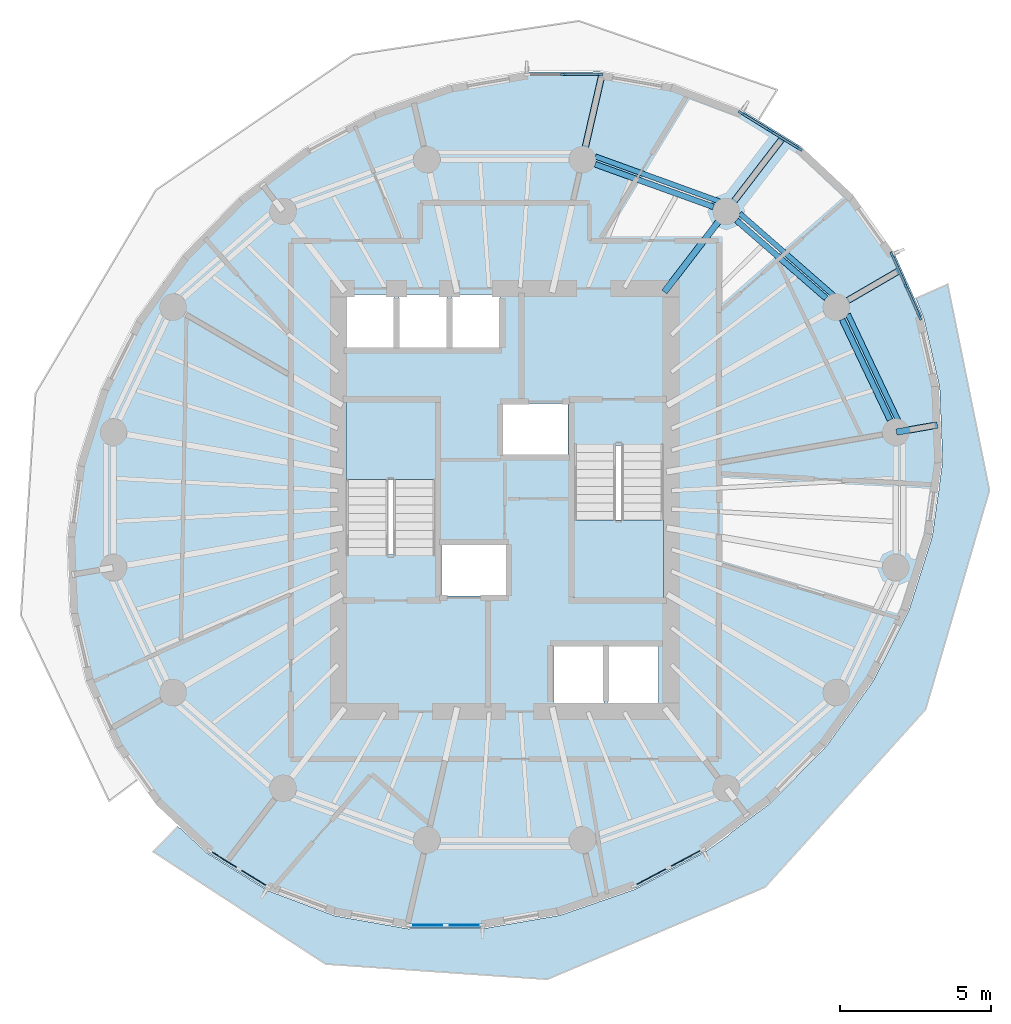
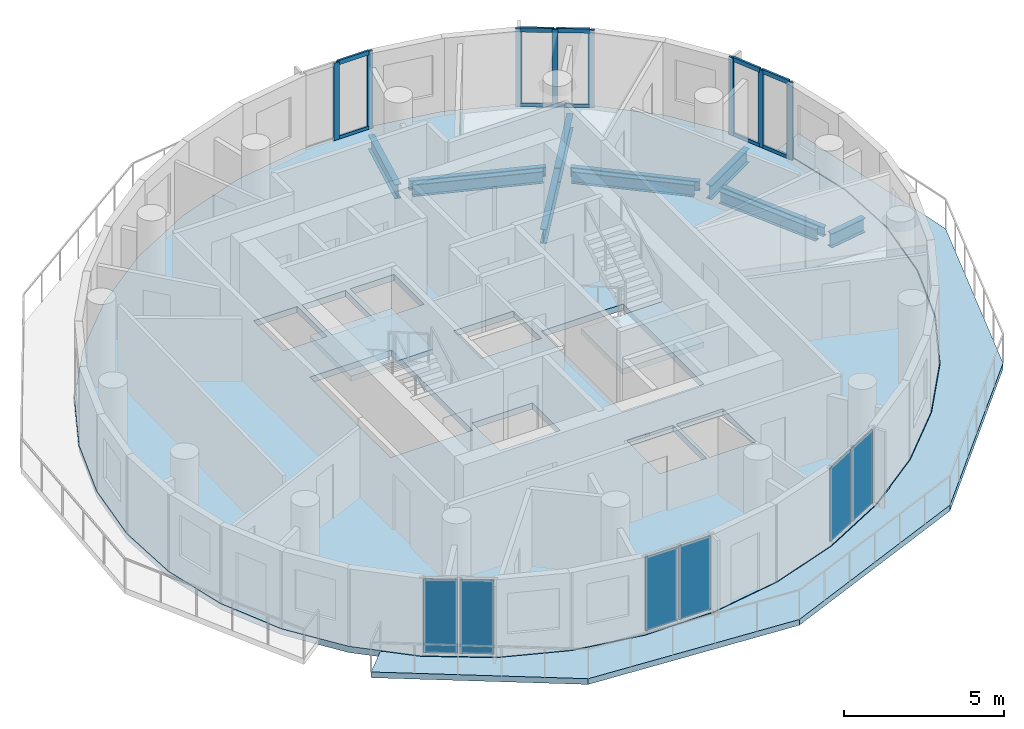
# One storey, part 3 of 10: 18 members, 11 beams, 6 plates, 4 slabs, 8 elements without a shape of their own.
"""IFC4 building model written with IfcOpenShell, lengths in metres."""

from ifc_helpers import new_model, si_unit, direction, frame, origin, origin_2d, place, context, subcontext, project, spatial, polyline, rectangle, i_section, outline, extrude, material, layer, layer_set, material_profile, profile_set, type_object, element, aggregate, save


model = new_model("IFC4")

# Units and contexts
model_context = context("Model", 3, precision=1e-05, world=origin(), true_north=direction((0.0, 1.0)))
body_context = subcontext(model_context, "Body", "Model", "MODEL_VIEW")
ifc_project = project(units=[si_unit("LENGTHUNIT", "METRE"), si_unit("AREAUNIT", "SQUARE_METRE"), si_unit("VOLUMEUNIT", "CUBIC_METRE"), si_unit("PLANEANGLEUNIT", "RADIAN"), si_unit("MASSUNIT", "GRAM", prefix="KILO")], contexts=[model_context])

# Site, building, storey
site_placement = place(None, origin())
site = spatial("IfcSite", under=ifc_project, at=site_placement, CompositionType="ELEMENT")
building_placement = place(site_placement, origin())
building = spatial("IfcBuilding", under=site, at=building_placement, Name="Veldorim Arch Residences", CompositionType="ELEMENT")
storey_placement = place(building_placement, frame((0.0, 0.0, 169.43994140625)))
storey = spatial("IfcBuildingStorey", under=building, at=storey_placement, Name="L50", CompositionType="ELEMENT", Elevation=169.43994140625)

# Beams
ifc_material_1 = material(Name="Steel S355", Category="steel")
ifc_material_profile_1 = material_profile(ifc_material_1, i_section(OverallWidth=0.2119140625, OverallDepth=0.54443359375, WebThickness=0.0126953125, FlangeThickness=0.021240234375, at=origin_2d()), Name="UB533x210x122")
ifc_profile_set_1 = profile_set([ifc_material_profile_1], Name="Steel S355")
beam_type_1 = type_object("IfcBeamType", Name="Structural Steel Beam UB533x210x122", PredefinedType="BEAM", material=ifc_profile_set_1)
beam_1_placement = place(storey_placement, frame((44.966064453125, 26.242919921875, -0.51220703125), z_axis=(0.985349360006, 0.170548054035, 0.0), x_axis=(-0.170548054035, 0.985349360006, 0.0)))
element("IfcBeam", 1, at=beam_1_placement, inside=storey, type_object=beam_type_1, Name="L50 radial edge cantilever girder 01", PredefinedType="BEAM", context=body_context, shape_type="SweptSolid", body=[
    extrude(i_section(OverallWidth=0.2119140625, OverallDepth=0.54443359375, WebThickness=0.0126953125, FlangeThickness=0.021240234375, at=origin_2d()), origin(), (0.0, 0.0, 1.0), 1.377197265625),
])
beam_2_placement = place(storey_placement, frame((42.99267578125, 30.387939453125, -0.51220703125), z_axis=(0.864610127671, 0.502443357135, 0.0), x_axis=(-0.502443357135, 0.864610127671, 0.0)))
element("IfcBeam", 2, at=beam_2_placement, inside=storey, type_object=beam_type_1, Name="L50 radial edge cantilever girder 02", PredefinedType="BEAM", context=body_context, shape_type="SweptSolid", body=[
    extrude(i_section(OverallWidth=0.2119140625, OverallDepth=0.54443359375, WebThickness=0.0126953125, FlangeThickness=0.021240234375, at=origin_2d()), origin(), (0.0, 0.0, 1.0), 2.372314453125),
])
beam_3_placement = place(storey_placement, frame((37.28662109375, 30.881103515625, -0.51220703125), z_axis=(0.609258442308, 0.792971721108, 0.0), x_axis=(-0.792971721108, 0.609258442308, 0.0)))
element("IfcBeam", 3, at=beam_3_placement, inside=storey, type_object=beam_type_1, Name="L50 radial floor girder 03", PredefinedType="BEAM", context=body_context, shape_type="SweptSolid", body=[
    extrude(i_section(OverallWidth=0.2119140625, OverallDepth=0.54443359375, WebThickness=0.0126953125, FlangeThickness=0.021240234375, at=origin_2d()), origin(), (0.0, 0.0, 1.0), 3.339599609375),
])
beam_4_placement = place(storey_placement, frame((39.345703125, 33.561279296875, -0.51220703125), z_axis=(0.609245785417, 0.792981445528, 0.0), x_axis=(-0.792981445528, 0.609245785417, 0.0)))
element("IfcBeam", 4, at=beam_4_placement, inside=storey, type_object=beam_type_1, Name="L50 radial edge cantilever girder 03", PredefinedType="BEAM", context=body_context, shape_type="SweptSolid", body=[
    extrude(i_section(OverallWidth=0.2119140625, OverallDepth=0.54443359375, WebThickness=0.0126953125, FlangeThickness=0.021240234375, at=origin_2d()), origin(), (0.0, 0.0, 1.0), 3.020263671875),
])
beam_5_placement = place(storey_placement, frame((34.57958984375, 35.27880859375, -0.51220703125), z_axis=(0.222975521586, 0.974824044007, 0.0), x_axis=(-0.974824044007, 0.222975521586, 0.0)))
element("IfcBeam", 5, at=beam_5_placement, inside=storey, type_object=beam_type_1, Name="L50 radial edge cantilever girder 04", PredefinedType="BEAM", context=body_context, shape_type="SweptSolid", body=[
    extrude(i_section(OverallWidth=0.2119140625, OverallDepth=0.54443359375, WebThickness=0.0126953125, FlangeThickness=0.021240234375, at=origin_2d()), origin(), (0.0, 0.0, 1.0), 2.85888671875),
])
ifc_material_2 = material(Name="Steel S355", Category="steel")
ifc_material_profile_2 = material_profile(ifc_material_2, i_section(OverallWidth=0.172119140625, OverallDepth=0.35791015625, WebThickness=0.008056640625, FlangeThickness=0.012939453125, at=origin_2d()), Name="UB356x171x57")
ifc_profile_set_2 = profile_set([ifc_material_profile_2], Name="Steel S355")
beam_type_2 = type_object("IfcBeamType", Name="Structural Steel Spandrel UB356x171x57", PredefinedType="SPANDREL", material=ifc_profile_set_2)
beam_6_placement = place(storey_placement, frame((45.0205078125, 26.6396484375, -0.43896484375), z_axis=(-0.428408308939, 0.903585259304, 0.0), x_axis=(-0.903585259304, -0.428408308939, 0.0)))
element("IfcBeam", 6, at=beam_6_placement, inside=storey, type_object=beam_type_2, Name="L50 perimeter chord spandrel beam 01", PredefinedType="SPANDREL", context=body_context, shape_type="SweptSolid", body=[
    extrude(i_section(OverallWidth=0.172119140625, OverallDepth=0.35791015625, WebThickness=0.008056640625, FlangeThickness=0.012939453125, at=origin_2d()), origin(), (0.0, 0.0, 1.0), 3.878662109375),
])
beam_7_placement = place(storey_placement, frame((42.891357421875, 30.762939453125, -0.43896484375), z_axis=(-0.752847646119, 0.6581948205, 0.0), x_axis=(-0.6581948205, -0.752847646119, 0.0)))
element("IfcBeam", 7, at=beam_7_placement, inside=storey, type_object=beam_type_2, Name="L50 perimeter chord spandrel beam 02", PredefinedType="SPANDREL", context=body_context, shape_type="SweptSolid", body=[
    extrude(i_section(OverallWidth=0.172119140625, OverallDepth=0.35791015625, WebThickness=0.008056640625, FlangeThickness=0.012939453125, at=origin_2d()), origin(), (0.0, 0.0, 1.0), 4.12939453125),
])
beam_8_placement = place(storey_placement, frame((39.112060546875, 33.87646484375, -0.43896484375), z_axis=(-0.940164695555, 0.340720332871, 0.0), x_axis=(-0.340720332871, -0.940164695555, 0.0)))
element("IfcBeam", 8, at=beam_8_placement, inside=storey, type_object=beam_type_2, Name="L50 perimeter chord spandrel beam 03", PredefinedType="SPANDREL", context=body_context, shape_type="SweptSolid", body=[
    extrude(i_section(OverallWidth=0.172119140625, OverallDepth=0.35791015625, WebThickness=0.008056640625, FlangeThickness=0.012939453125, at=origin_2d()), origin(), (0.0, 0.0, 1.0), 4.370849609375),
])
ifc_material_3 = material(Name="Steel S355", Category="steel")
ifc_material_profile_3 = material_profile(ifc_material_3, i_section(OverallWidth=0.19140625, OverallDepth=0.4599609375, WebThickness=0.010009765625, FlangeThickness=0.01611328125, at=origin_2d()), Name="UB457x191x82")
ifc_profile_set_3 = profile_set([ifc_material_profile_3], Name="Steel S355")
beam_type_3 = type_object("IfcBeamType", Name="Structural Steel Spandrel UB457x191x82", PredefinedType="SPANDREL", material=ifc_profile_set_3)
beam_9_placement = place(storey_placement, frame((44.7529296875, 26.64599609375, -0.469970703125), z_axis=(-0.430005613988, 0.902826213586, 0.0), x_axis=(-0.902826213586, -0.430005613988, 0.0)))
element("IfcBeam", 9, at=beam_9_placement, inside=storey, type_object=beam_type_3, Name="L50 perimeter ring tie beam 01", PredefinedType="SPANDREL", context=body_context, shape_type="SweptSolid", body=[
    extrude(i_section(OverallWidth=0.19140625, OverallDepth=0.4599609375, WebThickness=0.010009765625, FlangeThickness=0.01611328125, at=origin_2d()), origin(), (0.0, 0.0, 1.0), 3.68359375),
])
beam_10_placement = place(storey_placement, frame((42.635986328125, 30.673095703125, -0.469970703125), z_axis=(-0.754545285701, 0.656247980436, 0.0), x_axis=(-0.656247980436, -0.754545285701, 0.0)))
element("IfcBeam", 10, at=beam_10_placement, inside=storey, type_object=beam_type_3, Name="L50 perimeter ring tie beam 02", PredefinedType="SPANDREL", context=body_context, shape_type="SweptSolid", body=[
    extrude(i_section(OverallWidth=0.19140625, OverallDepth=0.4599609375, WebThickness=0.010009765625, FlangeThickness=0.01611328125, at=origin_2d()), origin(), (0.0, 0.0, 1.0), 3.9267578125),
])
beam_11_placement = place(storey_placement, frame((38.91015625, 33.69775390625, -0.469970703125), z_axis=(-0.940811035395, 0.338931550137, 0.0), x_axis=(-0.338931550137, -0.940811035395, 0.0)))
element("IfcBeam", 11, at=beam_11_placement, inside=storey, type_object=beam_type_3, Name="L50 perimeter ring tie beam 03", PredefinedType="SPANDREL", context=body_context, shape_type="SweptSolid", body=[
    extrude(i_section(OverallWidth=0.19140625, OverallDepth=0.4599609375, WebThickness=0.010009765625, FlangeThickness=0.01611328125, at=origin_2d()), origin(), (0.0, 0.0, 1.0), 4.15771484375),
])

# Curtain wall, members
ifc_material_4 = material(Name="Aluminium", Category="aluminium")
curtain_wall_type = type_object("IfcCurtainWallType", Name="Zone 4 High-Altitude Unitised Curtain Wall", PredefinedType="NOTDEFINED", material=ifc_material_4)
curtain_wall_1_placement = place(storey_placement, origin())
curtain_wall_1 = element("IfcCurtainWall", 12, at=curtain_wall_1_placement, inside=storey, type_object=curtain_wall_type, Name="L50 unitised curtain wall bay 02", PredefinedType="NOTDEFINED")
ifc_material_5 = material(Name="Aluminium", Category="aluminium")
ifc_material_profile_4 = material_profile(ifc_material_5, rectangle(XDim=0.074951171875, YDim=0.195068359375, at=origin_2d()), Name="ALU_MUL_75x195")
ifc_profile_set_4 = profile_set([ifc_material_profile_4], Name="Aluminium")
member_type_1 = type_object("IfcMemberType", Name="Zone 4 High-Altitude Unitised Curtain Wall Mullion 75x195", PredefinedType="MULLION", material=ifc_profile_set_4)
member_1_placement = place(storey_placement, frame((39.82470703125, 36.80859375, 0.0), z_axis=(0.0, 0.0, 1.0), x_axis=(0.525637112191, 0.850708896326, 0.0)))
member_1 = element("IfcMember", 13, at=member_1_placement, type_object=member_type_1, Name="CW-Z4 mullion 1", PredefinedType="MULLION", context=body_context, shape_type="SweptSolid", body=[
    extrude(rectangle(XDim=0.074951171875, YDim=0.195068359375, at=origin_2d()), origin(), (0.0, 0.0, 1.0), 2.9599609375),
])
member_2_placement = place(storey_placement, frame((40.791015625, 36.21142578125, 0.0), z_axis=(0.0, 0.0, 1.0), x_axis=(0.525637112191, 0.850708896326, 0.0)))
member_2 = element("IfcMember", 14, at=member_2_placement, type_object=member_type_1, Name="CW-Z4 mullion 2", PredefinedType="MULLION", context=body_context, shape_type="SweptSolid", body=[
    extrude(rectangle(XDim=0.074951171875, YDim=0.195068359375, at=origin_2d()), origin(), (0.0, 0.0, 1.0), 2.9599609375),
])
member_3_placement = place(storey_placement, frame((41.75732421875, 35.614501953125, 0.0), z_axis=(0.0, 0.0, 1.0), x_axis=(0.525637112191, 0.850708896326, 0.0)))
member_3 = element("IfcMember", 15, at=member_3_placement, type_object=member_type_1, Name="CW-Z4 mullion 3", PredefinedType="MULLION", context=body_context, shape_type="SweptSolid", body=[
    extrude(rectangle(XDim=0.074951171875, YDim=0.195068359375, at=origin_2d()), origin(), (0.0, 0.0, 1.0), 2.9599609375),
])

curtain_wall_2_placement = place(storey_placement, origin())
curtain_wall_2 = element("IfcCurtainWall", 16, at=curtain_wall_2_placement, inside=storey, type_object=curtain_wall_type, Name="L50 unitised curtain wall bay 05", PredefinedType="NOTDEFINED")
member_4_placement = place(storey_placement, frame((33.949462890625, 38.07666015625, 0.0), z_axis=(0.0, 0.0, 1.0), x_axis=(-0.002677634077, 0.999996415131, 0.0)))
member_4 = element("IfcMember", 17, at=member_4_placement, type_object=member_type_1, Name="CW-Z4 mullion 2", PredefinedType="MULLION", context=body_context, shape_type="SweptSolid", body=[
    extrude(rectangle(XDim=0.074951171875, YDim=0.195068359375, at=origin_2d()), origin(), (0.0, 0.0, 1.0), 2.9599609375),
])
member_5_placement = place(storey_placement, frame((35.1630859375, 38.080078125, 0.0), z_axis=(0.0, 0.0, 1.0), x_axis=(-0.002677634077, 0.999996415131, 0.0)))
member_5 = element("IfcMember", 18, at=member_5_placement, type_object=member_type_1, Name="CW-Z4 mullion 3", PredefinedType="MULLION", context=body_context, shape_type="SweptSolid", body=[
    extrude(rectangle(XDim=0.074951171875, YDim=0.195068359375, at=origin_2d()), origin(), (0.0, 0.0, 1.0), 2.9599609375),
])

curtain_wall_3_placement = place(storey_placement, origin())
curtain_wall_3 = element("IfcCurtainWall", 19, at=curtain_wall_3_placement, inside=storey, type_object=curtain_wall_type, Name="L50 unitised curtain wall bay 35", PredefinedType="NOTDEFINED")
member_6_placement = place(storey_placement, frame((44.814208984375, 32.117431640625, 0.0), z_axis=(0.0, 0.0, 1.0), x_axis=(0.913308311578, 0.407268864514, 0.0)))
member_6 = element("IfcMember", 20, at=member_6_placement, type_object=member_type_1, Name="CW-Z4 mullion 1", PredefinedType="MULLION", context=body_context, shape_type="SweptSolid", body=[
    extrude(rectangle(XDim=0.074951171875, YDim=0.195068359375, at=origin_2d()), origin(), (0.0, 0.0, 1.0), 2.9599609375),
])
member_7_placement = place(storey_placement, frame((45.27685546875, 31.080078125, 0.0), z_axis=(0.0, 0.0, 1.0), x_axis=(0.913308311578, 0.407268864514, 0.0)))
member_7 = element("IfcMember", 21, at=member_7_placement, type_object=member_type_1, Name="CW-Z4 mullion 2", PredefinedType="MULLION", context=body_context, shape_type="SweptSolid", body=[
    extrude(rectangle(XDim=0.074951171875, YDim=0.195068359375, at=origin_2d()), origin(), (0.0, 0.0, 1.0), 2.9599609375),
])
member_8_placement = place(storey_placement, frame((45.739501953125, 30.042724609375, 0.0), z_axis=(0.0, 0.0, 1.0), x_axis=(0.913308311578, 0.407268864514, 0.0)))
member_8 = element("IfcMember", 22, at=member_8_placement, type_object=member_type_1, Name="CW-Z4 mullion 3", PredefinedType="MULLION", context=body_context, shape_type="SweptSolid", body=[
    extrude(rectangle(XDim=0.074951171875, YDim=0.195068359375, at=origin_2d()), origin(), (0.0, 0.0, 1.0), 2.9599609375),
])

# Member
ifc_material_6 = material(Name="Aluminium", Category="aluminium")
ifc_material_profile_5 = material_profile(ifc_material_6, rectangle(XDim=0.074951171875, YDim=0.1650390625, at=origin_2d()), Name="ALU_TRN_75x165")
ifc_profile_set_5 = profile_set([ifc_material_profile_5], Name="Aluminium")
member_type_2 = type_object("IfcMemberType", Name="Zone 4 High-Altitude Unitised Curtain Wall Transom 75x165", PredefinedType="USERDEFINED", material=ifc_profile_set_5)
member_9_placement = place(storey_placement, frame((39.8564453125, 36.788818359375, 0.03759765625), z_axis=(0.850740499179, -0.525585961624, 0.0), x_axis=(0.525585961624, 0.850740499179, 0.0)))
member_9 = element("IfcMember", 23, at=member_9_placement, type_object=member_type_2, Name="CW-Z4 transom 1.1", ObjectType="TRANSOM", PredefinedType="USERDEFINED", context=body_context, shape_type="SweptSolid", body=[
    extrude(rectangle(XDim=0.074951171875, YDim=0.1650390625, at=origin_2d()), origin(), (0.0, 0.0, 1.0), 1.06103515625),
])

member_10_placement = place(storey_placement, frame((39.8564453125, 36.788818359375, 2.922607421875), z_axis=(0.850740499179, -0.525585961624, 0.0), x_axis=(0.525585961624, 0.850740499179, 0.0)))
member_10 = element("IfcMember", 24, at=member_10_placement, type_object=member_type_2, Name="CW-Z4 transom 1.2", ObjectType="TRANSOM", PredefinedType="USERDEFINED", context=body_context, shape_type="SweptSolid", body=[
    extrude(rectangle(XDim=0.074951171875, YDim=0.1650390625, at=origin_2d()), origin(), (0.0, 0.0, 1.0), 1.06103515625),
])

member_11_placement = place(storey_placement, frame((40.82275390625, 36.19189453125, 0.03759765625), z_axis=(0.850637601688, -0.525752480351, 0.0), x_axis=(0.525752480351, 0.850637601688, 0.0)))
member_11 = element("IfcMember", 25, at=member_11_placement, type_object=member_type_2, Name="CW-Z4 transom 2.1", ObjectType="TRANSOM", PredefinedType="USERDEFINED", context=body_context, shape_type="SweptSolid", body=[
    extrude(rectangle(XDim=0.074951171875, YDim=0.1650390625, at=origin_2d()), origin(), (0.0, 0.0, 1.0), 1.06103515625),
])

member_12_placement = place(storey_placement, frame((40.82275390625, 36.19189453125, 2.922607421875), z_axis=(0.850637601688, -0.525752480351, 0.0), x_axis=(0.525752480351, 0.850637601688, 0.0)))
member_12 = element("IfcMember", 26, at=member_12_placement, type_object=member_type_2, Name="CW-Z4 transom 2.2", ObjectType="TRANSOM", PredefinedType="USERDEFINED", context=body_context, shape_type="SweptSolid", body=[
    extrude(rectangle(XDim=0.074951171875, YDim=0.1650390625, at=origin_2d()), origin(), (0.0, 0.0, 1.0), 1.06103515625),
])

aggregate(curtain_wall_1, [member_1, member_2, member_3, member_9, member_10, member_11, member_12])

member_13_placement = place(storey_placement, frame((33.987060546875, 38.076904296875, 0.03759765625), z_axis=(0.999996688693, 0.002573442047, 0.0), x_axis=(-0.002573442047, 0.999996688693, 0.0)))
member_13 = element("IfcMember", 27, at=member_13_placement, type_object=member_type_2, Name="CW-Z4 transom 2.1", ObjectType="TRANSOM", PredefinedType="USERDEFINED", context=body_context, shape_type="SweptSolid", body=[
    extrude(rectangle(XDim=0.074951171875, YDim=0.1650390625, at=origin_2d()), origin(), (0.0, 0.0, 1.0), 1.138427734375),
])

member_14_placement = place(storey_placement, frame((33.987060546875, 38.076904296875, 2.922607421875), z_axis=(0.999996688693, 0.002573442047, 0.0), x_axis=(-0.002573442047, 0.999996688693, 0.0)))
member_14 = element("IfcMember", 28, at=member_14_placement, type_object=member_type_2, Name="CW-Z4 transom 2.2", ObjectType="TRANSOM", PredefinedType="USERDEFINED", context=body_context, shape_type="SweptSolid", body=[
    extrude(rectangle(XDim=0.074951171875, YDim=0.1650390625, at=origin_2d()), origin(), (0.0, 0.0, 1.0), 1.138427734375),
])

aggregate(curtain_wall_2, [member_4, member_5, member_13, member_14])

member_15_placement = place(storey_placement, frame((44.829345703125, 32.083251953125, 0.03759765625), z_axis=(0.407291054764, -0.913298416022, 0.0), x_axis=(0.913298416022, 0.407291054764, 0.0)))
member_15 = element("IfcMember", 29, at=member_15_placement, type_object=member_type_2, Name="CW-Z4 transom 1.1", ObjectType="TRANSOM", PredefinedType="USERDEFINED", context=body_context, shape_type="SweptSolid", body=[
    extrude(rectangle(XDim=0.074951171875, YDim=0.1650390625, at=origin_2d()), origin(), (0.0, 0.0, 1.0), 1.06103515625),
])

member_16_placement = place(storey_placement, frame((44.829345703125, 32.083251953125, 2.922607421875), z_axis=(0.407291054764, -0.913298416022, 0.0), x_axis=(0.913298416022, 0.407291054764, 0.0)))
member_16 = element("IfcMember", 30, at=member_16_placement, type_object=member_type_2, Name="CW-Z4 transom 1.2", ObjectType="TRANSOM", PredefinedType="USERDEFINED", context=body_context, shape_type="SweptSolid", body=[
    extrude(rectangle(XDim=0.074951171875, YDim=0.1650390625, at=origin_2d()), origin(), (0.0, 0.0, 1.0), 1.06103515625),
])

member_17_placement = place(storey_placement, frame((45.2919921875, 31.0458984375, 0.03759765625), z_axis=(0.407291054764, -0.913298416022, 0.0), x_axis=(0.913298416022, 0.407291054764, 0.0)))
member_17 = element("IfcMember", 31, at=member_17_placement, type_object=member_type_2, Name="CW-Z4 transom 2.1", ObjectType="TRANSOM", PredefinedType="USERDEFINED", context=body_context, shape_type="SweptSolid", body=[
    extrude(rectangle(XDim=0.074951171875, YDim=0.1650390625, at=origin_2d()), origin(), (0.0, 0.0, 1.0), 1.06103515625),
])

member_18_placement = place(storey_placement, frame((45.2919921875, 31.0458984375, 2.922607421875), z_axis=(0.407291054764, -0.913298416022, 0.0), x_axis=(0.913298416022, 0.407291054764, 0.0)))
member_18 = element("IfcMember", 32, at=member_18_placement, type_object=member_type_2, Name="CW-Z4 transom 2.2", ObjectType="TRANSOM", PredefinedType="USERDEFINED", context=body_context, shape_type="SweptSolid", body=[
    extrude(rectangle(XDim=0.074951171875, YDim=0.1650390625, at=origin_2d()), origin(), (0.0, 0.0, 1.0), 1.06103515625),
])

aggregate(curtain_wall_3, [member_6, member_7, member_8, member_15, member_16, member_17, member_18])

# Slab
ifc_material_7 = material(Name="Concrete C40/50", Category="concrete")
ifc_layer_1 = layer(ifc_material_7, 0.219970703125, Name="Planted Crescent Cantilever Balcony Slab 220")
ifc_layer_set_1 = layer_set([ifc_layer_1], Name="Concrete C40/50")
slab_type_1 = type_object("IfcSlabType", Name="Planted Crescent Cantilever Balcony Slab 220", PredefinedType="FLOOR", material=ifc_layer_set_1)
slab_1_placement = place(storey_placement, frame((0.0, 0.0, -0.219970703125)))
element("IfcSlab", 33, at=slab_1_placement, inside=storey, type_object=slab_type_1, Name="L50 planted crescent balcony slab B", PredefinedType="FLOOR", context=body_context, shape_type="SweptSolid", body=[
    extrude(outline(polyline([(21.28759765625, 13.114013671875), (22.148193359375, 12.30859375), (24.14892578125, 11.072509765625), (26.387939453125, 10.2294921875), (28.79736328125, 9.804931640625), (31.303955078125, 9.8115234375), (33.83154296875, 10.24951171875), (36.30322265625, 11.10498046875), (38.64404296875, 12.35205078125), (39.426025390625, 12.909912109375), (39.509033203125, 12.999267578125), (40.783203125, 13.952880859375), (42.655517578125, 15.85888671875), (44.204345703125, 18.01220703125), (45.38232421875, 20.347412109375), (46.154296875, 22.793701171875), (46.356689453125, 24.266357421875), (46.398193359375, 24.38525390625), (46.38623046875, 24.480712890625), (46.495849609375, 25.27685546875), (46.39697265625, 27.721435546875), (45.860595703125, 30.052978515625), (45.611083984375, 30.665771484375), (46.661865234375, 31.1328125), (48.04443359375, 24.315185546875), (45.931640625, 17.061279296875), (40.623291015625, 11.184814453125), (33.410888671875, 8.1328125), (26.0712890625, 8.637451171875), (20.367431640625, 12.356201171875), (21.172607421875, 13.17724609375), (21.28759765625, 13.114013671875)])), origin(), (0.0, 0.0, 1.0), 0.219970703125),
])

# Stair, slab
ifc_material_8 = material(Name="Concrete C40/50", Category="concrete")
stair_type = type_object("IfcStairType", Name="Reinforced Concrete Dogleg Exit Staircase", PredefinedType="HALF_TURN_STAIR", material=ifc_material_8)
stair_1_placement = place(storey_placement, origin())
stair_1 = element("IfcStair", 34, at=stair_1_placement, inside=storey, type_object=stair_type, Name="L50 Exit Staircase ST-1", PredefinedType="HALF_TURN_STAIR")
ifc_material_9 = material(Name="Concrete C40/50", Category="concrete")
ifc_layer_2 = layer(ifc_material_9, 0.199951171875, Name="Reinforced Concrete Stair Landing 200")
ifc_layer_set_2 = layer_set([ifc_layer_2], Name="Concrete C40/50")
slab_type_2 = type_object("IfcSlabType", Name="Reinforced Concrete Stair Landing 200", PredefinedType="LANDING", material=ifc_layer_set_2)
slab_2_placement = place(storey_placement, frame((0.0, 0.0, 1.400146484375)))
slab_2 = element("IfcSlab", 35, at=slab_2_placement, type_object=slab_type_2, Name="ST-1 landing 1", PredefinedType="LANDING", context=body_context, shape_type="SweptSolid", body=[
    extrude(outline(polyline([(29.7099609375, 24.669921875), (29.7099609375, 27.25), (26.75, 27.25), (26.75, 24.669921875), (29.7099609375, 24.669921875)])), origin(), (0.0, 0.0, 1.0), 0.199951171875),
])
aggregate(stair_1, [slab_2])

stair_2_placement = place(storey_placement, origin())
stair_2 = element("IfcStair", 36, at=stair_2_placement, inside=storey, type_object=stair_type, Name="L50 Exit Staircase ST-2", PredefinedType="HALF_TURN_STAIR")
slab_3_placement = place(storey_placement, frame((0.0, 0.0, 1.400146484375)))
slab_3 = element("IfcSlab", 37, at=slab_3_placement, type_object=slab_type_2, Name="ST-2 landing 1", PredefinedType="LANDING", context=body_context, shape_type="SweptSolid", body=[
    extrude(outline(polyline([(34.2900390625, 23.330078125), (34.2900390625, 20.75), (37.25, 20.75), (37.25, 23.330078125), (34.2900390625, 23.330078125)])), origin(), (0.0, 0.0, 1.0), 0.199951171875),
])
aggregate(stair_2, [slab_3])

# Slab
ifc_material_10 = material(Name="Concrete C40/50", Category="concrete")
ifc_layer_3 = layer(ifc_material_10, 0.239990234375, Name="Typical Residential Floor Slab 240")
ifc_layer_set_3 = layer_set([ifc_layer_3], Name="Concrete C40/50")
slab_type_3 = type_object("IfcSlabType", Name="Typical Residential Floor Slab 240", PredefinedType="FLOOR", material=ifc_layer_set_3)
slab_4_placement = place(storey_placement, frame((0.0, 0.0, -0.239990234375)))
element("IfcSlab", 38, at=slab_4_placement, inside=storey, type_object=slab_type_3, Name="L50 tower structural floor slab", PredefinedType="FLOOR", context=body_context, shape_type="SweptSolid", body=[
    extrude(outline(polyline([(43.533935546875, 34.0830078125), (41.83642578125, 35.67138671875), (39.840087890625, 36.90478515625), (37.60546875, 37.746337890625), (35.200439453125, 38.170166015625), (32.6982421875, 38.163330078125), (30.1748046875, 37.726318359375), (27.706787109375, 36.8720703125), (25.369384765625, 35.626708984375), (23.2333984375, 34.0283203125), (21.363525390625, 32.125), (19.817138671875, 29.974853515625), (18.640869140625, 27.643310546875), (17.870361328125, 25.20068359375), (17.529296875, 22.721923828125), (17.6279296875, 20.281982421875), (18.1630859375, 17.954833984375), (19.118896484375, 15.8115234375), (20.466064453125, 13.9169921875), (22.16357421875, 12.32861328125), (24.159912109375, 11.09521484375), (26.39453125, 10.253662109375), (28.799560546875, 9.829833984375), (31.3017578125, 9.836669921875), (33.8251953125, 10.273681640625), (36.293212890625, 11.1279296875), (38.630615234375, 12.373291015625), (40.7666015625, 13.9716796875), (42.636474609375, 15.875), (44.182861328125, 18.025146484375), (45.359130859375, 20.356689453125), (46.129638671875, 22.79931640625), (46.470703125, 25.278076171875), (46.3720703125, 27.718017578125), (45.8369140625, 30.045166015625), (44.881103515625, 32.1884765625), (43.533935546875, 34.0830078125)]), holes=[polyline([(33.610107421875, 17.2099609375), (33.610107421875, 19.2900390625), (35.2900390625, 19.2900390625), (35.2900390625, 17.2099609375), (33.610107421875, 17.2099609375)]), polyline([(35.409912109375, 17.2099609375), (35.409912109375, 19.2900390625), (37.090087890625, 19.2900390625), (37.090087890625, 17.2099609375), (35.409912109375, 17.2099609375)]), polyline([(29.909912109375, 20.81494140625), (29.909912109375, 22.544921875), (32.090087890625, 22.544921875), (32.090087890625, 20.81494140625), (29.909912109375, 20.81494140625)]), polyline([(34.2900390625, 20.75), (34.2900390625, 25.804931640625), (37.25, 25.804931640625), (37.25, 20.75), (34.2900390625, 20.75)]), polyline([(26.75, 22.195068359375), (26.75, 27.25), (29.7099609375, 27.25), (29.7099609375, 22.195068359375), (26.75, 22.195068359375)]), polyline([(31.909912109375, 25.455078125), (31.909912109375, 27.18505859375), (34.090087890625, 27.18505859375), (34.090087890625, 25.455078125), (31.909912109375, 25.455078125)]), polyline([(26.760009765625, 28.909912109375), (26.760009765625, 30.7900390625), (28.340087890625, 30.7900390625), (28.340087890625, 28.909912109375), (26.760009765625, 28.909912109375)]), polyline([(28.510009765625, 30.7900390625), (30.090087890625, 30.7900390625), (30.090087890625, 28.909912109375), (28.510009765625, 28.909912109375), (28.510009765625, 30.7900390625)]), polyline([(30.260009765625, 30.7900390625), (31.840087890625, 30.7900390625), (31.840087890625, 28.909912109375), (30.260009765625, 28.909912109375), (30.260009765625, 30.7900390625)])]), origin(), (0.0, 0.0, 1.0), 0.239990234375),
])

# Curtain wall, plates
curtain_wall_4_placement = place(storey_placement, origin())
curtain_wall_4 = element("IfcCurtainWall", 39, at=curtain_wall_4_placement, inside=storey, type_object=curtain_wall_type, Name="L50 unitised curtain wall bay 20", PredefinedType="NOTDEFINED")
ifc_material_11 = material(Name="Laminated Low-E Glass", Category="glass")
ifc_layer_4 = layer(ifc_material_11, 0.030029296875, Name="Zone 4 High-Altitude Unitised Curtain Wall Glazing Panel 30")
ifc_layer_set_4 = layer_set([ifc_layer_4], Name="Laminated Low-E Glass")
plate_type = type_object("IfcPlateType", Name="Zone 4 High-Altitude Unitised Curtain Wall Glazing Panel 30", PredefinedType="CURTAIN_PANEL", material=ifc_layer_set_4)
plate_1_placement = place(storey_placement, frame((23.692138671875, 11.489990234375, 0.074951171875), z_axis=(0.0, 0.0, 1.0), x_axis=(-0.850708896326, 0.525637112191, 0.0)))
plate_1 = element("IfcPlate", 40, at=plate_1_placement, type_object=plate_type, Name="CW-Z4 panel 1.1", PredefinedType="CURTAIN_PANEL", context=body_context, shape_type="SweptSolid", body=[
    extrude(rectangle(XDim=1.06103515625, YDim=0.030029296875, at=origin_2d()), origin(), (0.0, 0.0, 1.0), 2.81005859375),
])
plate_2_placement = place(storey_placement, frame((22.725830078125, 12.087158203125, 0.074951171875), z_axis=(0.0, 0.0, 1.0), x_axis=(-0.850708896326, 0.525637112191, 0.0)))
plate_2 = element("IfcPlate", 41, at=plate_2_placement, type_object=plate_type, Name="CW-Z4 panel 2.1", PredefinedType="CURTAIN_PANEL", context=body_context, shape_type="SweptSolid", body=[
    extrude(rectangle(XDim=1.06103515625, YDim=0.030029296875, at=origin_2d()), origin(), (0.0, 0.0, 1.0), 2.81005859375),
])
aggregate(curtain_wall_4, [plate_1, plate_2])

curtain_wall_5_placement = place(storey_placement, origin())
curtain_wall_5 = element("IfcCurtainWall", 42, at=curtain_wall_5_placement, inside=storey, type_object=curtain_wall_type, Name="L50 unitised curtain wall bay 23", PredefinedType="NOTDEFINED")
plate_3_placement = place(storey_placement, frame((30.6572265625, 9.9248046875, 0.074951171875), z_axis=(0.0, 0.0, 1.0), x_axis=(-0.999996415131, -0.002677634077, 0.0)))
plate_3 = element("IfcPlate", 43, at=plate_3_placement, type_object=plate_type, Name="CW-Z4 panel 1.1", PredefinedType="CURTAIN_PANEL", context=body_context, shape_type="SweptSolid", body=[
    extrude(rectangle(XDim=1.138671875, YDim=0.030029296875, at=origin_2d()), origin(), (0.0, 0.0, 1.0), 2.81005859375),
])
plate_4_placement = place(storey_placement, frame((29.443603515625, 9.921630859375, 0.074951171875), z_axis=(0.0, 0.0, 1.0), x_axis=(-0.999996415131, -0.002677634077, 0.0)))
plate_4 = element("IfcPlate", 44, at=plate_4_placement, type_object=plate_type, Name="CW-Z4 panel 2.1", PredefinedType="CURTAIN_PANEL", context=body_context, shape_type="SweptSolid", body=[
    extrude(rectangle(XDim=1.138671875, YDim=0.030029296875, at=origin_2d()), origin(), (0.0, 0.0, 1.0), 2.81005859375),
])
aggregate(curtain_wall_5, [plate_3, plate_4])

curtain_wall_6_placement = place(storey_placement, origin())
curtain_wall_6 = element("IfcCurtainWall", 45, at=curtain_wall_6_placement, inside=storey, type_object=curtain_wall_type, Name="L50 unitised curtain wall bay 26", PredefinedType="NOTDEFINED")
plate_5_placement = place(storey_placement, frame((37.987548828125, 12.132568359375, 0.074951171875), z_axis=(0.0, 0.0, 1.0), x_axis=(-0.882567110223, -0.470186448073, 0.0)))
plate_5 = element("IfcPlate", 46, at=plate_5_placement, type_object=plate_type, Name="CW-Z4 panel 1.1", PredefinedType="CURTAIN_PANEL", context=body_context, shape_type="SweptSolid", body=[
    extrude(rectangle(XDim=1.211669921875, YDim=0.030029296875, at=origin_2d()), origin(), (0.0, 0.0, 1.0), 2.81005859375),
])
plate_6_placement = place(storey_placement, frame((36.851806640625, 11.52734375, 0.074951171875), z_axis=(0.0, 0.0, 1.0), x_axis=(-0.882567110223, -0.470186448073, 0.0)))
plate_6 = element("IfcPlate", 47, at=plate_6_placement, type_object=plate_type, Name="CW-Z4 panel 2.1", PredefinedType="CURTAIN_PANEL", context=body_context, shape_type="SweptSolid", body=[
    extrude(rectangle(XDim=1.211669921875, YDim=0.030029296875, at=origin_2d()), origin(), (0.0, 0.0, 1.0), 2.81005859375),
])
aggregate(curtain_wall_6, [plate_5, plate_6])

save(model, "model.ifc")
